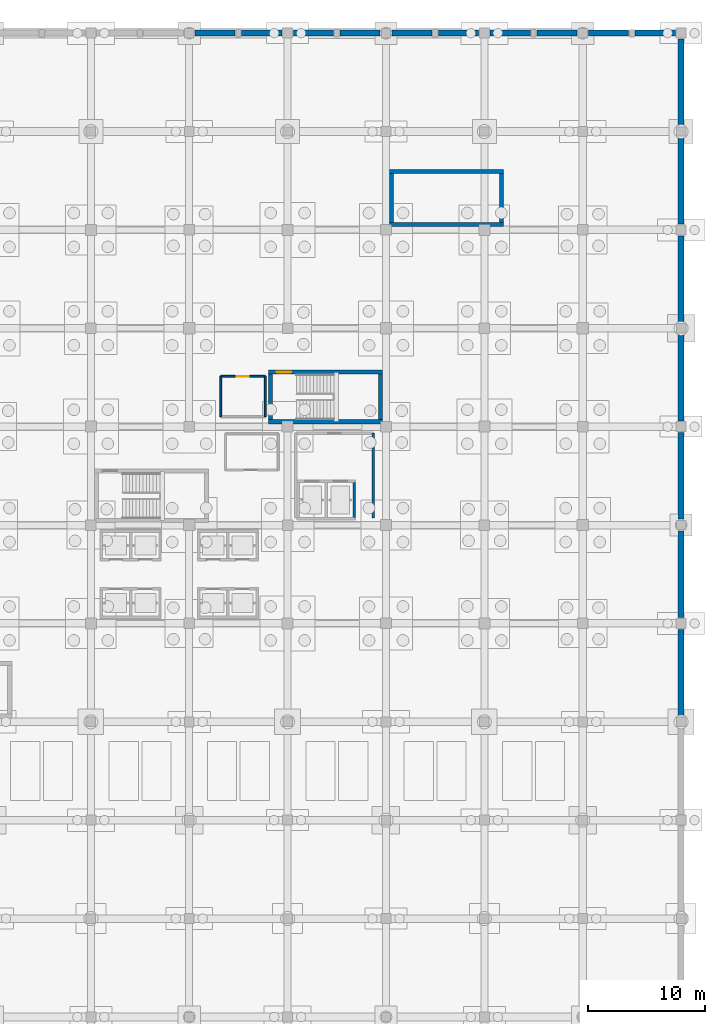
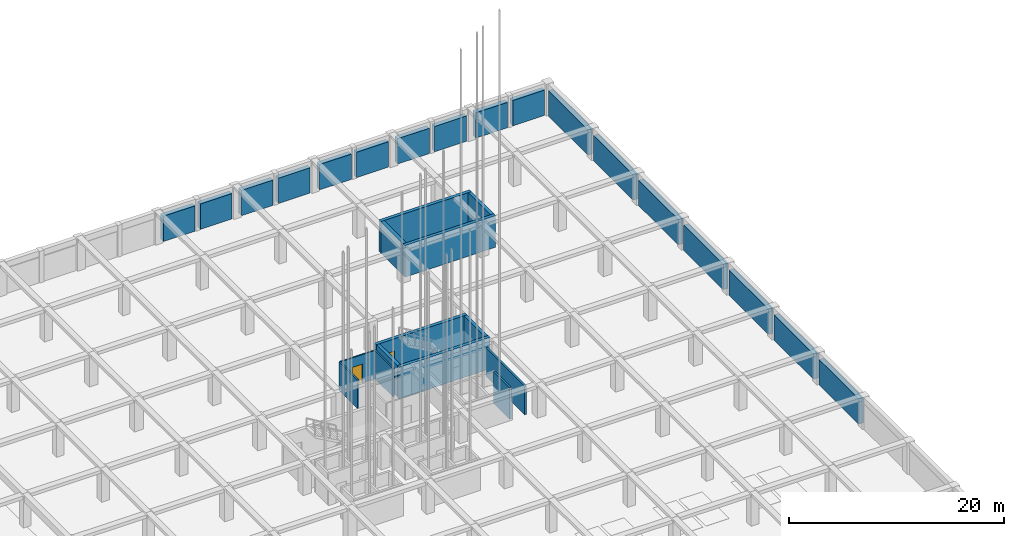
# One storey, part 23 of 47: 30 walls, 2 doors, 2 openings.
"""IFC4 building model written with IfcOpenShell, lengths in metres."""

from ifc_helpers import new_model, si_unit, direction, frame, frame_2d, origin, place, context, subcontext, project, spatial, rectangle, extrude, material, layer, layer_set, type_object, element, fill, save


model = new_model("IFC4")

# Units and contexts
model_context = context("Model", 3, precision=1e-05, world=origin(), true_north=direction((0.0, 1.0)))
body_context = subcontext(model_context, "Body", "Model", "MODEL_VIEW")
ifc_project = project(units=[si_unit("LENGTHUNIT", "METRE"), si_unit("AREAUNIT", "SQUARE_METRE"), si_unit("VOLUMEUNIT", "CUBIC_METRE"), si_unit("PLANEANGLEUNIT", "RADIAN"), si_unit("MASSUNIT", "GRAM", prefix="KILO")], contexts=[model_context])

# Site, building, storey
site_placement = place(None, origin())
site = spatial("IfcSite", under=ifc_project, at=site_placement, CompositionType="ELEMENT")
building_placement = place(site_placement, origin())
building = spatial("IfcBuilding", under=site, at=building_placement, Name="Almacenes y Pasaje Nevantli", CompositionType="ELEMENT")
storey_placement = place(building_placement, frame((0.0, 0.0, -8.10009765625)))
storey = spatial("IfcBuildingStorey", under=building, at=storey_placement, Name="B02", CompositionType="ELEMENT", Elevation=-8.10009765625)

# Walls
ifc_material_1 = material(Name="Fire-Rated Concrete Blockwork", Category="masonry")
ifc_layer_1 = layer(ifc_material_1, 0.199951171875)
ifc_layer_set_1 = layer_set([ifc_layer_1], Name="Fire-Rated Concrete Blockwork")
wall_type_1 = type_object("IfcWallType", Name="WL-COMP-200", PredefinedType="PARTITIONING", material=ifc_layer_set_1)
wall_1_placement = place(storey_placement, frame((141.699951171875, 76.199951171875, 0.0), z_axis=(0.0, 0.0, 1.0), x_axis=(0.0, 1.0, 0.0)))
element("IfcWall", 1, at=wall_1_placement, inside=storey, type_object=wall_type_1, Name="B02 Interior Partition Wall IW-200 #3", PredefinedType="PARTITIONING", context=body_context, shape_type="SweptSolid", body=[
    extrude(rectangle(XDim=7.25, YDim=0.199951171875, at=frame_2d((3.625, 0.0))), origin(), (0.0, 0.0, 1.0), 3.22021484375),
])
ifc_material_2 = material(Name="Concrete C45/55", Category="concrete")
ifc_layer_2 = layer(ifc_material_2, 0.35009765625)
ifc_layer_set_2 = layer_set([ifc_layer_2], Name="Concrete C45/55")
wall_type_2 = type_object("IfcWallType", Name="WL-CORE-350", PredefinedType="SHEAR", material=ifc_layer_set_2)
wall_2_placement = place(storey_placement, frame((132.75, 84.425048828125, 0.0), z_axis=(0.0, 0.0, 1.0), x_axis=(1.0, 0.0, 0.0)))
element("IfcWall", 2, at=wall_2_placement, inside=storey, type_object=wall_type_2, Name="B02 Exit Stair ST-02 South Core Shear Wall", PredefinedType="SHEAR", context=body_context, shape_type="SweptSolid", body=[
    extrude(rectangle(XDim=9.75, YDim=0.35009765625, at=frame_2d((4.875, 0.0))), origin(), (0.0, 0.0, 1.0), 3.60009765625),
])

# Wall, opening, door
wall_3_placement = place(storey_placement, frame((132.75, 88.6650390625, 0.0), z_axis=(0.0, 0.0, 1.0), x_axis=(1.0, 0.0, 0.0)))
wall_3 = element("IfcWall", 3, at=wall_3_placement, inside=storey, type_object=wall_type_2, Name="B02 Exit Stair ST-02 North Core Shear Wall", PredefinedType="SHEAR", context=body_context, shape_type="SweptSolid", body=[
    extrude(rectangle(XDim=9.75, YDim=0.35009765625, at=frame_2d((4.875, 0.0))), origin(), (0.0, 0.0, 1.0), 3.60009765625),
])
opening_1_placement = place(wall_3_placement, frame((0.719970703125, 0.0, 0.0)))
opening_1 = element("IfcOpeningElement", 4, at=opening_1_placement, cuts=wall_3, Name="Opening SD-02-B02", PredefinedType="OPENING", context=body_context, shape_type="SweptSolid", body=[
    extrude(rectangle(XDim=1.25, YDim=2.199951171875, at=frame_2d((0.625, 1.10009765625))), frame((0.0, 0.18505859375, 0.0), z_axis=(0.0, -1.0, 0.0), x_axis=(1.0, 0.0, 0.0)), (0.0, 0.0, 1.0), 0.3701171875),
])
ifc_material_3 = material(Name="Galvanized Fire-Rated Steel", Category="steel")
door_type_1 = type_object("IfcDoorType", Name="DR-STAIR-1250R", OperationType="SINGLE_SWING_RIGHT", PredefinedType="DOOR", material=ifc_material_3)
door_1_placement = place(opening_1_placement, origin())
door_1 = element("IfcDoor", 5, at=door_1_placement, inside=storey, type_object=door_type_1, Name="B02 Smokeproof Exit Stair ST-02 Fire Door", OperationType="SINGLE_SWING_RIGHT", OverallHeight=2.199951171875, OverallWidth=1.25, PredefinedType="DOOR", context=body_context, shape_type="SweptSolid", body=[
    extrude(rectangle(XDim=1.25, YDim=2.199951171875, at=frame_2d((0.625, 1.10009765625))), frame((0.0, 0.02490234375, 0.0), z_axis=(0.0, -1.0, 0.0), x_axis=(1.0, 0.0, 0.0)), (0.0, 0.0, 1.0), 0.050048828125),
])
fill(opening_1, door_1)

# Walls
for number, where, z_axis, x_axis, name in (
    (6, (132.925048828125, 84.60009765625, 0.0), (0.0, 0.0, 1.0), (0.0, 1.0, 0.0), "B02 Exit Stair ST-02 West Core Shear Wall"),
    (7, (142.324951171875, 84.60009765625, 0.0), (0.0, 0.0, 1.0), (0.0, 1.0, 0.0), "B02 Exit Stair ST-02 East Core Shear Wall"),
):
    element("IfcWall", number, at=place(storey_placement, frame(where, z_axis=z_axis, x_axis=x_axis)), inside=storey, type_object=wall_type_2, Name=name, PredefinedType="SHEAR", context=body_context, shape_type="SweptSolid", body=[
        extrude(rectangle(XDim=3.889892578125, YDim=0.35009765625, at=frame_2d((1.94482421875, 0.0))), origin(), (0.0, 0.0, 1.0), 3.60009765625),
    ])
for number, where, z_axis, x_axis, name in (
    (8, (143.10009765625, 101.27490234375, 0.0), (0.0, 0.0, 1.0), (1.0, 0.0, 0.0), "B02 Exit Stair ST-07 South Core Shear Wall"),
    (9, (143.10009765625, 105.77490234375, 0.0), (0.0, 0.0, 1.0), (1.0, 0.0, 0.0), "B02 Exit Stair ST-07 North Core Shear Wall"),
):
    element("IfcWall", number, at=place(storey_placement, frame(where, z_axis=z_axis, x_axis=x_axis)), inside=storey, type_object=wall_type_2, Name=name, PredefinedType="SHEAR", context=body_context, shape_type="SweptSolid", body=[
        extrude(rectangle(XDim=9.75, YDim=0.35009765625, at=frame_2d((4.875, 0.0))), origin(), (0.0, 0.0, 1.0), 3.60009765625),
    ])
for number, where, z_axis, x_axis, name in (
    (10, (143.27490234375, 101.449951171875, 0.0), (0.0, 0.0, 1.0), (0.0, 1.0, 0.0), "B02 Exit Stair ST-07 West Core Shear Wall"),
    (11, (152.675048828125, 101.449951171875, 0.0), (0.0, 0.0, 1.0), (0.0, 1.0, 0.0), "B02 Exit Stair ST-07 East Core Shear Wall"),
):
    element("IfcWall", number, at=place(storey_placement, frame(where, z_axis=z_axis, x_axis=x_axis)), inside=storey, type_object=wall_type_2, Name=name, PredefinedType="SHEAR", context=body_context, shape_type="SweptSolid", body=[
        extrude(rectangle(XDim=4.150146484375, YDim=0.35009765625, at=frame_2d((2.0751953125, 0.0))), origin(), (0.0, 0.0, 1.0), 3.60009765625),
    ])

# Wall, opening, door
ifc_material_4 = material(Name="Acoustic Steel-Stud Gypsum Partition", Category="steel")
ifc_layer_3 = layer(ifc_material_4, 0.14990234375)
ifc_layer_set_3 = layer_set([ifc_layer_3], Name="Acoustic Steel-Stud Gypsum Partition")
wall_type_3 = type_object("IfcWallType", Name="WL-PART-150", PredefinedType="PARTITIONING", material=ifc_layer_set_3)
wall_4_placement = place(storey_placement, frame((128.699951171875, 88.300048828125, 0.0), z_axis=(0.0, 0.0, 1.0), x_axis=(1.0, 0.0, 0.0)))
wall_4 = element("IfcWall", 12, at=wall_4_placement, inside=storey, type_object=wall_type_3, Name="B02 Interior Partition Wall IW-150 #8", PredefinedType="PARTITIONING", context=body_context, shape_type="SweptSolid", body=[
    extrude(rectangle(XDim=3.800048828125, YDim=0.14990234375, at=frame_2d((1.89990234375, 0.0))), origin(), (0.0, 0.0, 1.0), 3.22021484375),
])
opening_2_placement = place(wall_4_placement, frame((1.35009765625, 0.0, 0.0)))
opening_2 = element("IfcOpeningElement", 13, at=opening_2_placement, cuts=wall_4, Name="Opening ID-B02-003", PredefinedType="OPENING", context=body_context, shape_type="SweptSolid", body=[
    extrude(rectangle(XDim=1.050048828125, YDim=2.14990234375, at=frame_2d((0.52490234375, 1.074951171875))), frame((0.0, 0.0849609375, 0.0), z_axis=(0.0, -1.0, 0.0), x_axis=(1.0, 0.0, 0.0)), (0.0, 0.0, 1.0), 0.169921875),
])
ifc_material_5 = material(Name="Powder-Coated Hollow Metal", Category="steel")
door_type_2 = type_object("IfcDoorType", Name="DR-ACC-1050", OperationType="SINGLE_SWING_RIGHT", PredefinedType="DOOR", material=ifc_material_5)
door_2_placement = place(opening_2_placement, origin())
door_2 = element("IfcDoor", 14, at=door_2_placement, inside=storey, type_object=door_type_2, Name="B02 Accessible WC Door", OperationType="SINGLE_SWING_RIGHT", OverallHeight=2.14990234375, OverallWidth=1.050048828125, PredefinedType="DOOR", context=body_context, shape_type="SweptSolid", body=[
    extrude(rectangle(XDim=1.050048828125, YDim=2.14990234375, at=frame_2d((0.52490234375, 1.074951171875))), frame((0.0, 0.02490234375, 0.0), z_axis=(0.0, -1.0, 0.0), x_axis=(1.0, 0.0, 0.0)), (0.0, 0.0, 1.0), 0.050048828125),
])
fill(opening_2, door_2)

# Walls
for number, where, z_axis, x_axis, name in (
    (15, (128.699951171875, 84.85009765625, 0.0), (0.0, 0.0, 1.0), (0.0, 1.0, 0.0), "B02 Interior Partition Wall IW-150 #10"),
    (16, (132.5, 84.85009765625, 0.0), (0.0, 0.0, 1.0), (0.0, 1.0, 0.0), "B02 Interior Partition Wall IW-150 #11"),
):
    element("IfcWall", number, at=place(storey_placement, frame(where, z_axis=z_axis, x_axis=x_axis)), inside=storey, type_object=wall_type_3, Name=name, PredefinedType="PARTITIONING", context=body_context, shape_type="SweptSolid", body=[
        extrude(rectangle(XDim=3.449951171875, YDim=0.14990234375, at=frame_2d((1.72509765625, 0.0))), origin(), (0.0, 0.0, 1.0), 3.22021484375),
    ])
ifc_material_6 = material(Name="Concrete C45/55", Category="concrete")
ifc_layer_4 = layer(ifc_material_6, 0.5)
ifc_layer_set_4 = layer_set([ifc_layer_4], Name="Concrete C45/55")
wall_type_4 = type_object("IfcWallType", Name="WL-RET-500", PredefinedType="SHEAR", material=ifc_layer_set_4)
for number, where, z_axis, x_axis, name in (
    (17, (126.5, 117.60009765625, 0.0), (0.0, 0.0, 1.0), (1.0, 0.0, 0.0), "B02 North Basement Retaining Shear Wall #16A"),
    (18, (130.47998046875, 117.60009765625, 0.0), (0.0, 0.0, 1.0), (1.0, 0.0, 0.0), "B02 North Basement Retaining Shear Wall #16B"),
):
    element("IfcWall", number, at=place(storey_placement, frame(where, z_axis=z_axis, x_axis=x_axis)), inside=storey, type_object=wall_type_4, Name=name, PredefinedType="SHEAR", context=body_context, shape_type="SweptSolid", body=[
        extrude(rectangle(XDim=3.419921875, YDim=0.5, at=frame_2d((1.7099609375, 0.0))), origin(), (0.0, 0.0, 1.0), 2.880126953125),
    ])
for number, where, z_axis, x_axis, name in (
    (19, (134.89990234375, 117.60009765625, 0.0), (0.0, 0.0, 1.0), (1.0, 0.0, 0.0), "B02 North Basement Retaining Shear Wall #17A"),
    (20, (138.8798828125, 117.60009765625, 0.0), (0.0, 0.0, 1.0), (1.0, 0.0, 0.0), "B02 North Basement Retaining Shear Wall #17B"),
):
    element("IfcWall", number, at=place(storey_placement, frame(where, z_axis=z_axis, x_axis=x_axis)), inside=storey, type_object=wall_type_4, Name=name, PredefinedType="SHEAR", context=body_context, shape_type="SweptSolid", body=[
        extrude(rectangle(XDim=3.420166015625, YDim=0.5, at=frame_2d((1.7099609375, 0.0))), origin(), (0.0, 0.0, 1.0), 2.880126953125),
    ])
for number, where, z_axis, x_axis, name in (
    (21, (143.300048828125, 117.60009765625, 0.0), (0.0, 0.0, 1.0), (1.0, 0.0, 0.0), "B02 North Basement Retaining Shear Wall #18A"),
    (22, (147.280029296875, 117.60009765625, 0.0), (0.0, 0.0, 1.0), (1.0, 0.0, 0.0), "B02 North Basement Retaining Shear Wall #18B"),
):
    element("IfcWall", number, at=place(storey_placement, frame(where, z_axis=z_axis, x_axis=x_axis)), inside=storey, type_object=wall_type_4, Name=name, PredefinedType="SHEAR", context=body_context, shape_type="SweptSolid", body=[
        extrude(rectangle(XDim=3.419921875, YDim=0.5, at=frame_2d((1.7099609375, 0.0))), origin(), (0.0, 0.0, 1.0), 2.880126953125),
    ])
for number, where, z_axis, x_axis, name in (
    (23, (151.699951171875, 117.60009765625, 0.0), (0.0, 0.0, 1.0), (1.0, 0.0, 0.0), "B02 North Basement Retaining Shear Wall #19A"),
    (24, (155.679931640625, 117.60009765625, 0.0), (0.0, 0.0, 1.0), (1.0, 0.0, 0.0), "B02 North Basement Retaining Shear Wall #19B"),
):
    element("IfcWall", number, at=place(storey_placement, frame(where, z_axis=z_axis, x_axis=x_axis)), inside=storey, type_object=wall_type_4, Name=name, PredefinedType="SHEAR", context=body_context, shape_type="SweptSolid", body=[
        extrude(rectangle(XDim=3.420166015625, YDim=0.5, at=frame_2d((1.7099609375, 0.0))), origin(), (0.0, 0.0, 1.0), 2.880126953125),
    ])
for number, where, z_axis, x_axis, name in (
    (25, (160.10009765625, 117.60009765625, 0.0), (0.0, 0.0, 1.0), (1.0, 0.0, 0.0), "B02 North Basement Retaining Shear Wall #20A"),
    (26, (164.080078125, 117.60009765625, 0.0), (0.0, 0.0, 1.0), (1.0, 0.0, 0.0), "B02 North Basement Retaining Shear Wall #20B"),
):
    element("IfcWall", number, at=place(storey_placement, frame(where, z_axis=z_axis, x_axis=x_axis)), inside=storey, type_object=wall_type_4, Name=name, PredefinedType="SHEAR", context=body_context, shape_type="SweptSolid", body=[
        extrude(rectangle(XDim=3.419921875, YDim=0.5, at=frame_2d((1.7099609375, 0.0))), origin(), (0.0, 0.0, 1.0), 2.880126953125),
    ])
wall_5_placement = place(storey_placement, frame((168.0, 59.300048828125, 0.0), z_axis=(0.0, 0.0, 1.0), x_axis=(0.0, 1.0, 0.0)))
element("IfcWall", 27, at=wall_5_placement, inside=storey, type_object=wall_type_4, Name="B02 East Basement Retaining Shear Wall #8", PredefinedType="SHEAR", context=body_context, shape_type="SweptSolid", body=[
    extrude(rectangle(XDim=7.39990234375, YDim=0.5, at=frame_2d((3.699951171875, 0.0))), origin(), (0.0, 0.0, 1.0), 2.880126953125),
])
wall_6_placement = place(storey_placement, frame((168.0, 67.699951171875, 0.0), z_axis=(0.0, 0.0, 1.0), x_axis=(0.0, 1.0, 0.0)))
element("IfcWall", 28, at=wall_6_placement, inside=storey, type_object=wall_type_4, Name="B02 East Basement Retaining Shear Wall #9", PredefinedType="SHEAR", context=body_context, shape_type="SweptSolid", body=[
    extrude(rectangle(XDim=7.400146484375, YDim=0.5, at=frame_2d((3.7001953125, 0.0))), origin(), (0.0, 0.0, 1.0), 2.880126953125),
])
for number, where, z_axis, x_axis, name in (
    (29, (168.0, 76.10009765625, 0.0), (0.0, 0.0, 1.0), (0.0, 1.0, 0.0), "B02 East Basement Retaining Shear Wall #10"),
    (30, (168.0, 84.5, 0.0), (0.0, 0.0, 1.0), (0.0, 1.0, 0.0), "B02 East Basement Retaining Shear Wall #11"),
):
    element("IfcWall", number, at=place(storey_placement, frame(where, z_axis=z_axis, x_axis=x_axis)), inside=storey, type_object=wall_type_4, Name=name, PredefinedType="SHEAR", context=body_context, shape_type="SweptSolid", body=[
        extrude(rectangle(XDim=7.39990234375, YDim=0.5, at=frame_2d((3.699951171875, 0.0))), origin(), (0.0, 0.0, 1.0), 2.880126953125),
    ])
wall_7_placement = place(storey_placement, frame((168.0, 92.89990234375, 0.0), z_axis=(0.0, 0.0, 1.0), x_axis=(0.0, 1.0, 0.0)))
element("IfcWall", 31, at=wall_7_placement, inside=storey, type_object=wall_type_4, Name="B02 East Basement Retaining Shear Wall #12", PredefinedType="SHEAR", context=body_context, shape_type="SweptSolid", body=[
    extrude(rectangle(XDim=7.400146484375, YDim=0.5, at=frame_2d((3.7001953125, 0.0))), origin(), (0.0, 0.0, 1.0), 2.880126953125),
])
wall_8_placement = place(storey_placement, frame((168.0, 101.300048828125, 0.0), z_axis=(0.0, 0.0, 1.0), x_axis=(0.0, 1.0, 0.0)))
element("IfcWall", 32, at=wall_8_placement, inside=storey, type_object=wall_type_4, Name="B02 East Basement Retaining Shear Wall #13", PredefinedType="SHEAR", context=body_context, shape_type="SweptSolid", body=[
    extrude(rectangle(XDim=7.39990234375, YDim=0.5, at=frame_2d((3.699951171875, 0.0))), origin(), (0.0, 0.0, 1.0), 2.880126953125),
])
wall_9_placement = place(storey_placement, frame((168.0, 109.699951171875, 0.0), z_axis=(0.0, 0.0, 1.0), x_axis=(0.0, 1.0, 0.0)))
element("IfcWall", 33, at=wall_9_placement, inside=storey, type_object=wall_type_4, Name="B02 East Basement Retaining Shear Wall #14", PredefinedType="SHEAR", context=body_context, shape_type="SweptSolid", body=[
    extrude(rectangle(XDim=7.400146484375, YDim=0.5, at=frame_2d((3.7001953125, 0.0))), origin(), (0.0, 0.0, 1.0), 2.880126953125),
])
ifc_material_7 = material(Name="Concrete C45/55", Category="concrete")
ifc_layer_5 = layer(ifc_material_7, 0.2099609375)
ifc_layer_set_5 = layer_set([ifc_layer_5], Name="Concrete C45/55")
wall_type_5 = type_object("IfcWallType", Name="WL-SHAFT-210", PredefinedType="SHEAR", material=ifc_layer_set_5)
wall_10_placement = place(storey_placement, frame((140.10498046875, 76.25, 0.0), z_axis=(0.0, 0.0, 1.0), x_axis=(0.0, 1.0, 0.0)))
element("IfcWall", 34, at=wall_10_placement, inside=storey, type_object=wall_type_5, Name="B02 Lift Hoistway ELV-FF2 East Wall", PredefinedType="SHEAR", context=body_context, shape_type="SweptSolid", body=[
    extrude(rectangle(XDim=3.0, YDim=0.2099609375, at=frame_2d((1.5, 0.0))), origin(), (0.0, 0.0, 1.0), 3.60009765625),
])

save(model, "model.ifc")
